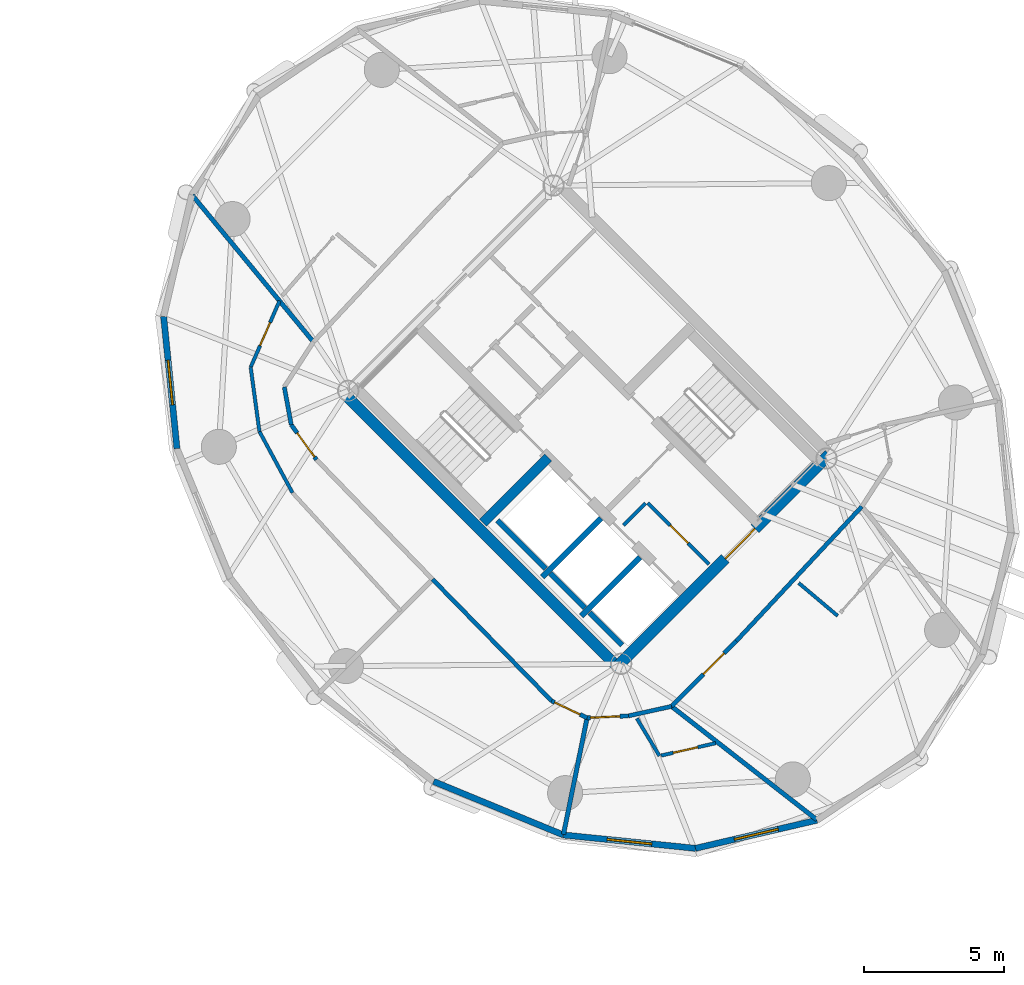
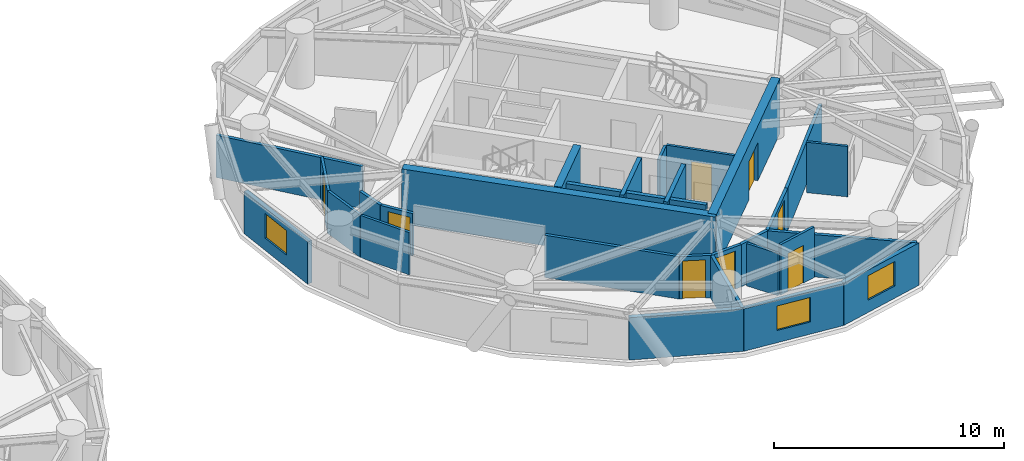
# One storey, part 12 of 17: 31 walls, 8 doors, 3 windows, 11 openings.
"""IFC4 building model written with IfcOpenShell, lengths in metres."""

from ifc_helpers import new_model, si_unit, direction, frame, frame_2d, origin, place, context, subcontext, project, spatial, rectangle, extrude, source, transform, mapped, material, layer, layer_set, type_object, element, fill, save


model = new_model("IFC4")

# Units and contexts
model_context = context("Model", 3, precision=1e-05, world=origin(), true_north=direction((0.0, 1.0)))
body_context = subcontext(model_context, "Body", "Model", "MODEL_VIEW")
ifc_project = project(units=[si_unit("LENGTHUNIT", "METRE"), si_unit("AREAUNIT", "SQUARE_METRE"), si_unit("VOLUMEUNIT", "CUBIC_METRE"), si_unit("PLANEANGLEUNIT", "RADIAN"), si_unit("MASSUNIT", "GRAM", prefix="KILO")], contexts=[model_context])

# Site, building, storey
site_placement = place(None, origin())
site = spatial("IfcSite", under=ifc_project, at=site_placement, CompositionType="ELEMENT")
building_placement = place(site_placement, origin())
building = spatial("IfcBuilding", under=site, at=building_placement, Name="Cununo Teusaquillo Station Towers", CompositionType="ELEMENT")
storey_placement = place(building_placement, frame((0.0, 0.0, 183.610107421875)))
storey = spatial("IfcBuildingStorey", under=building, at=storey_placement, Name="L58", CompositionType="ELEMENT", Elevation=183.610107421875)

# Walls
ifc_material_1 = material(Name="Concrete C50/60", Category="concrete")
ifc_layer_1 = layer(ifc_material_1, 0.199951171875)
ifc_layer_set_1 = layer_set([ifc_layer_1], Name="Concrete C50/60")
wall_type_1 = type_object("IfcWallType", Name="WL-CORE-200", PredefinedType="SHEAR", material=ifc_layer_set_1)
wall_1_placement = place(storey_placement, frame((55.8876953125, 19.0693359375, 0.0), z_axis=(0.0, 0.0, 1.0), x_axis=(0.707106781187, 0.707106781187, 0.0)))
element("IfcWall", 1, at=wall_1_placement, inside=storey, type_object=wall_type_1, Name="L58 Tower B Firefighting Lift Shaft South Shear Wall", PredefinedType="SHEAR", context=body_context, shape_type="SweptSolid", body=[
    extrude(rectangle(XDim=2.969970703125, YDim=0.199951171875, at=frame_2d((1.48486328125, 0.0))), origin(), (0.0, 0.0, 1.0), 2.909912109375),
])
wall_2_placement = place(storey_placement, frame((56.01513671875, 19.366455078125, 0.0), z_axis=(0.0, 0.0, 1.0), x_axis=(-0.707106781187, 0.707106781187, 0.0)))
element("IfcWall", 2, at=wall_2_placement, inside=storey, type_object=wall_type_1, Name="L58 Tower B Firefighting Lift Shaft Rear Shear Wall", PredefinedType="SHEAR", context=body_context, shape_type="SweptSolid", body=[
    extrude(rectangle(XDim=2.43994140625, YDim=0.199951171875, at=frame_2d((1.219970703125, 0.0))), origin(), (0.0, 0.0, 1.0), 2.909912109375),
])
wall_3_placement = place(storey_placement, frame((57.2841796875, 17.6728515625, 0.0), z_axis=(0.0, 0.0, 1.0), x_axis=(0.707147878904, 0.70706568108, 0.0)))
element("IfcWall", 3, at=wall_3_placement, inside=storey, type_object=wall_type_1, Name="L58 Tower B High-Rise Lift Hoistway Divider Shear Wall", PredefinedType="SHEAR", context=body_context, shape_type="SweptSolid", body=[
    extrude(rectangle(XDim=2.97021484375, YDim=0.199951171875, at=frame_2d((1.485107421875, 0.0))), origin(), (0.0, 0.0, 1.0), 2.909912109375),
])
wall_4_placement = place(storey_placement, frame((57.41162109375, 17.969970703125, 0.0), z_axis=(0.0, 0.0, 1.0), x_axis=(-0.707106781187, 0.707106781187, 0.0)))
element("IfcWall", 4, at=wall_4_placement, inside=storey, type_object=wall_type_1, Name="L58 Tower B High-Rise Lift 2 Shaft Rear Shear Wall", PredefinedType="SHEAR", context=body_context, shape_type="SweptSolid", body=[
    extrude(rectangle(XDim=1.73486328125, YDim=0.199951171875, at=frame_2d((0.867431640625, 0.0))), origin(), (0.0, 0.0, 1.0), 2.909912109375),
])
wall_5_placement = place(storey_placement, frame((58.7373046875, 16.64404296875, 0.0), z_axis=(0.0, 0.0, 1.0), x_axis=(-0.707032117043, 0.707181437447, 0.0)))
element("IfcWall", 5, at=wall_5_placement, inside=storey, type_object=wall_type_1, Name="L58 Tower B High-Rise Lift 1 Shaft Rear Shear Wall", PredefinedType="SHEAR", context=body_context, shape_type="SweptSolid", body=[
    extrude(rectangle(XDim=1.635009765625, YDim=0.199951171875, at=frame_2d((0.8173828125, 0.0))), origin(), (0.0, 0.0, 1.0), 2.909912109375),
])
ifc_material_2 = material(Name="Concrete C50/60", Category="concrete")
ifc_layer_2 = layer(ifc_material_2, 0.35009765625)
ifc_layer_set_2 = layer_set([ifc_layer_2], Name="Concrete C50/60")
wall_type_2 = type_object("IfcWallType", Name="WL-CORE-350", PredefinedType="SHEAR", material=ifc_layer_set_2)
wall_6_placement = place(storey_placement, frame((53.7841796875, 21.00341796875, 0.0), z_axis=(0.0, 0.0, 1.0), x_axis=(0.707106781187, 0.707106781187, 0.0)))
element("IfcWall", 6, at=wall_6_placement, inside=storey, type_object=wall_type_2, Name="L58 Tower B Core Shear Wall ST1S", PredefinedType="SHEAR", context=body_context, shape_type="SweptSolid", body=[
    extrude(rectangle(XDim=3.284912109375, YDim=0.35009765625, at=frame_2d((1.642578125, 0.0))), origin(), (0.0, 0.0, 1.0), 2.909912109375),
])
ifc_material_3 = material(Name="Concrete C50/60", Category="concrete")
ifc_layer_3 = layer(ifc_material_3, 0.39990234375)
ifc_layer_set_3 = layer_set([ifc_layer_3], Name="Concrete C50/60")
wall_type_3 = type_object("IfcWallType", Name="WL-CORE-400", PredefinedType="SHEAR", material=ifc_layer_set_3)
wall_7_placement = place(storey_placement, frame((58.7021484375, 15.73193359375, 0.0), z_axis=(0.0, 0.0, 1.0), x_axis=(-0.707106781187, 0.707106781187, 0.0)))
element("IfcWall", 7, at=wall_7_placement, inside=storey, type_object=wall_type_3, Name="L58 Tower B Core Shear Wall W", PredefinedType="SHEAR", context=body_context, shape_type="SweptSolid", body=[
    extrude(rectangle(XDim=14.10009765625, YDim=0.39990234375, at=frame_2d((7.050048828125, 0.0))), origin(), (0.0, 0.0, 1.0), 2.909912109375),
])

# Wall, opening, door
wall_8_placement = place(storey_placement, frame((58.560791015625, 15.873291015625, 0.0), z_axis=(0.0, 0.0, 1.0), x_axis=(0.707106781187, 0.707106781187, 0.0)))
wall_8 = element("IfcWall", 8, at=wall_8_placement, inside=storey, type_object=wall_type_3, Name="L58 Tower B Core Shear Wall S", PredefinedType="SHEAR", context=body_context, shape_type="SweptSolid", body=[
    extrude(rectangle(XDim=10.69970703125, YDim=0.39990234375, at=frame_2d((5.349853515625, 0.0))), origin(), (0.0, 0.0, 1.0), 2.909912109375),
])
shared_shape_1 = source(origin(), body_context, "Body", "SweptSolid", [
    extrude(rectangle(XDim=1.5, YDim=2.02001953125, at=frame_2d((0.75, 1.010009765625))), frame((0.0, 0.2099609375, 0.0), z_axis=(0.0, -1.0, 0.0), x_axis=(1.0, 0.0, 0.0)), (0.0, 0.0, 1.0), 0.419921875),
])
opening_1_placement = place(wall_8_placement, frame((5.449951171875, 0.0, 0.0)))
opening_1 = element("IfcOpeningElement", 9, at=opening_1_placement, cuts=wall_8, Name="Opening D-LB1", PredefinedType="OPENING", context=body_context, shape_type="MappedRepresentation", body=[
    mapped(shared_shape_1, transform((0.0, 0.0, 0.0), x_axis=(1.0, 0.0, 0.0), y_axis=(0.0, 1.0, 0.0), z_axis=(0.0, 0.0, 1.0), scale=1.0)),
])
ifc_material_4 = material(Name="Galvanised fire-rated hollow steel door assembly", Category="steel")
door_type_1 = type_object("IfcDoorType", Name="DR-LOBBY-1500", OperationType="DOUBLE_DOOR_SINGLE_SWING", PredefinedType="DOOR", material=ifc_material_4)
shared_shape_2 = source(origin(), body_context, "Body", "SweptSolid", [
    extrude(rectangle(XDim=1.5, YDim=2.02001953125, at=frame_2d((0.75, 1.010009765625))), frame((0.0, 0.02490234375, 0.0), z_axis=(0.0, -1.0, 0.0), x_axis=(1.0, 0.0, 0.0)), (0.0, 0.0, 1.0), 0.050048828125),
])
door_1_placement = place(opening_1_placement, origin())
door_1 = element("IfcDoor", 10, at=door_1_placement, inside=storey, type_object=door_type_1, Name="L58 Tower B South Core Lift Lobby Door", OperationType="DOUBLE_DOOR_SINGLE_SWING", OverallHeight=2.02001953125, OverallWidth=1.5, PredefinedType="DOOR", context=body_context, shape_type="MappedRepresentation", body=[
    mapped(shared_shape_2, transform((0.0, 0.0, 0.0), x_axis=(1.0, 0.0, 0.0), y_axis=(0.0, 1.0, 0.0), z_axis=(0.0, 0.0, 1.0), scale=1.0)),
])
fill(opening_1, door_1)

# Wall, opening, window
ifc_material_5 = material(Name="Precast concrete C40/50", Category="concrete")
ifc_layer_4 = layer(ifc_material_5, 0.219970703125)
ifc_layer_set_4 = layer_set([ifc_layer_4], Name="Precast concrete C40/50")
wall_type_4 = type_object("IfcWallType", Name="WL-EXT-220", PredefinedType="SOLIDWALL", material=ifc_layer_set_4)
wall_9_placement = place(storey_placement, frame((42.87255859375, 23.646484375, 0.0), z_axis=(0.0, 0.0, 1.0), x_axis=(-0.100438356004, 0.994943283129, 0.0)))
wall_9 = element("IfcWall", 11, at=wall_9_placement, inside=storey, type_object=wall_type_4, Name="L58 Tower B Exterior Facade Wall C07", PredefinedType="SOLIDWALL", context=body_context, shape_type="SweptSolid", body=[
    extrude(rectangle(XDim=4.732666015625, YDim=0.219970703125, at=frame_2d((2.3662109375, 0.0))), origin(), (0.0, 0.0, 1.0), 2.244873046875),
])
shared_shape_3 = source(origin(), body_context, "Body", "SweptSolid", [
    extrude(rectangle(XDim=1.60009765625, YDim=1.300048828125, at=frame_2d((0.800048828125, 0.64990234375))), frame((0.0, 0.119873046875, 0.0), z_axis=(0.0, -1.0, 0.0), x_axis=(1.0, 0.0, 0.0)), (0.0, 0.0, 1.0), 0.239990234375),
])
opening_2_placement = place(wall_9_placement, frame((1.56591796875, 0.0, 0.64990234375)))
opening_2 = element("IfcOpeningElement", 12, at=opening_2_placement, cuts=wall_9, Name="Opening WN-03", PredefinedType="OPENING", context=body_context, shape_type="MappedRepresentation", body=[
    mapped(shared_shape_3, transform((0.0, 0.0, 0.0), x_axis=(1.0, 0.0, 0.0), y_axis=(0.0, 1.0, 0.0), z_axis=(0.0, 0.0, 1.0), scale=1.0)),
])
ifc_material_6 = material(Name="Ceramic-fritted dark low-E double glazing", Category="glass")
window_type = type_object("IfcWindowType", Name="WIN-CORN-1600", PartitioningType="SINGLE_PANEL", PredefinedType="WINDOW", material=ifc_material_6)
shared_shape_4 = source(origin(), body_context, "Body", "SweptSolid", [
    extrude(rectangle(XDim=1.60009765625, YDim=1.300048828125, at=frame_2d((0.800048828125, 0.64990234375))), frame((0.0, 0.030029296875, 0.0), z_axis=(0.0, -1.0, 0.0), x_axis=(1.0, 0.0, 0.0)), (0.0, 0.0, 1.0), 0.06005859375),
])
window_1_placement = place(opening_2_placement, origin())
window_1 = element("IfcWindow", 13, at=window_1_placement, inside=storey, type_object=window_type, Name="L58 Tower B Facade Window C07", OverallHeight=1.300048828125, OverallWidth=1.60009765625, PartitioningType="SINGLE_PANEL", PredefinedType="WINDOW", context=body_context, shape_type="MappedRepresentation", body=[
    mapped(shared_shape_4, transform((0.0, 0.0, 0.0), x_axis=(1.0, 0.0, 0.0), y_axis=(0.0, 1.0, 0.0), z_axis=(0.0, 0.0, 1.0), scale=1.0)),
])
fill(opening_2, window_1)

# Wall
wall_10_placement = place(storey_placement, frame((56.646484375, 9.87255859375, 0.0), z_axis=(0.0, 0.0, 1.0), x_axis=(-0.924494066201, 0.381196434348, 0.0)))
element("IfcWall", 14, at=wall_10_placement, inside=storey, type_object=wall_type_4, Name="L58 Tower B Exterior Facade Wall C11", PredefinedType="SOLIDWALL", context=body_context, shape_type="SweptSolid", body=[
    extrude(rectangle(XDim=5.003173828125, YDim=0.219970703125, at=frame_2d((2.50146484375, 0.0))), origin(), (0.0, 0.0, 1.0), 2.244873046875),
])

# Wall, opening, window
wall_11_placement = place(storey_placement, frame((61.355224609375, 9.397216796875, 0.0), z_axis=(0.0, 0.0, 1.0), x_axis=(-0.994943283129, 0.100438356004, 0.0)))
wall_11 = element("IfcWall", 15, at=wall_11_placement, inside=storey, type_object=wall_type_4, Name="L58 Tower B Exterior Facade Wall C12", PredefinedType="SOLIDWALL", context=body_context, shape_type="SweptSolid", body=[
    extrude(rectangle(XDim=4.732666015625, YDim=0.219970703125, at=frame_2d((2.3662109375, 0.0))), origin(), (0.0, 0.0, 1.0), 2.244873046875),
])
opening_3_placement = place(wall_11_placement, frame((1.56591796875, 0.0, 0.64990234375)))
opening_3 = element("IfcOpeningElement", 16, at=opening_3_placement, cuts=wall_11, Name="Opening WN-03", PredefinedType="OPENING", context=body_context, shape_type="MappedRepresentation", body=[
    mapped(shared_shape_3, transform((0.0, 0.0, 0.0), x_axis=(1.0, 0.0, 0.0), y_axis=(0.0, 1.0, 0.0), z_axis=(0.0, 0.0, 1.0), scale=1.0)),
])
window_2_placement = place(opening_3_placement, origin())
window_2 = element("IfcWindow", 17, at=window_2_placement, inside=storey, type_object=window_type, Name="L58 Tower B Facade Window C12", OverallHeight=1.300048828125, OverallWidth=1.60009765625, PartitioningType="SINGLE_PANEL", PredefinedType="WINDOW", context=body_context, shape_type="MappedRepresentation", body=[
    mapped(shared_shape_4, transform((0.0, 0.0, 0.0), x_axis=(1.0, 0.0, 0.0), y_axis=(0.0, 1.0, 0.0), z_axis=(0.0, 0.0, 1.0), scale=1.0)),
])
fill(opening_3, window_2)

wall_12_placement = place(storey_placement, frame((65.686767578125, 10.400146484375, 0.0), z_axis=(0.0, 0.0, 1.0), x_axis=(-0.97422620202, -0.22557328587, 0.0)))
wall_12 = element("IfcWall", 18, at=wall_12_placement, inside=storey, type_object=wall_type_4, Name="L58 Tower B Exterior Facade Wall C13", PredefinedType="SOLIDWALL", context=body_context, shape_type="SweptSolid", body=[
    extrude(rectangle(XDim=4.446044921875, YDim=0.219970703125, at=frame_2d((2.22314453125, 0.0))), origin(), (0.0, 0.0, 1.0), 2.244873046875),
])
opening_4_placement = place(wall_12_placement, frame((1.423095703125, 0.0, 0.64990234375)))
opening_4 = element("IfcOpeningElement", 19, at=opening_4_placement, cuts=wall_12, Name="Opening WN-03", PredefinedType="OPENING", context=body_context, shape_type="MappedRepresentation", body=[
    mapped(shared_shape_3, transform((0.0, 0.0, 0.0), x_axis=(1.0, 0.0, 0.0), y_axis=(0.0, 1.0, 0.0), z_axis=(0.0, 0.0, 1.0), scale=1.0)),
])
window_3_placement = place(opening_4_placement, origin())
window_3 = element("IfcWindow", 20, at=window_3_placement, inside=storey, type_object=window_type, Name="L58 Tower B Facade Window C13", OverallHeight=1.300048828125, OverallWidth=1.60009765625, PartitioningType="SINGLE_PANEL", PredefinedType="WINDOW", context=body_context, shape_type="MappedRepresentation", body=[
    mapped(shared_shape_4, transform((0.0, 0.0, 0.0), x_axis=(1.0, 0.0, 0.0), y_axis=(0.0, 1.0, 0.0), z_axis=(0.0, 0.0, 1.0), scale=1.0)),
])
fill(opening_4, window_3)

# Wall, opening, door
ifc_material_7 = material(Name="Fire-rated gypsum plasterboard partition assembly", Category="gypsum")
ifc_layer_5 = layer(ifc_material_7, 0.125)
ifc_layer_set_5 = layer_set([ifc_layer_5], Name="Fire-rated gypsum plasterboard partition assembly")
wall_type_5 = type_object("IfcWallType", Name="WL-PART-125", PredefinedType="PARTITIONING", material=ifc_layer_set_5)
wall_13_placement = place(storey_placement, frame((61.834716796875, 19.529052734375, 0.0), z_axis=(0.0, 0.0, 1.0), x_axis=(-0.707146413884, 0.707067146267, 0.0)))
wall_13 = element("IfcWall", 21, at=wall_13_placement, inside=storey, type_object=wall_type_5, Name="L58 Tower B South-West Tall Store East Wall", PredefinedType="PARTITIONING", context=body_context, shape_type="SweptSolid", body=[
    extrude(rectangle(XDim=3.079833984375, YDim=0.125, at=frame_2d((1.5400390625, 0.0))), origin(), (0.0, 0.0, 1.0), 2.6748046875),
])
shared_shape_5 = source(origin(), body_context, "Body", "SweptSolid", [
    extrude(rectangle(XDim=0.89990234375, YDim=2.0048828125, at=frame_2d((0.449951171875, 1.00244140625))), frame((0.0, 0.072509765625, 0.0), z_axis=(0.0, -1.0, 0.0), x_axis=(1.0, 0.0, 0.0)), (0.0, 0.0, 1.0), 0.14501953125),
])
opening_5_placement = place(wall_13_placement, frame((1.050048828125, 0.0, 0.0)))
opening_5 = element("IfcOpeningElement", 22, at=opening_5_placement, cuts=wall_13, Name="Opening D-SR1", PredefinedType="OPENING", context=body_context, shape_type="MappedRepresentation", body=[
    mapped(shared_shape_5, transform((0.0, 0.0, 0.0), x_axis=(1.0, 0.0, 0.0), y_axis=(0.0, 1.0, 0.0), z_axis=(0.0, 0.0, 1.0), scale=1.0)),
])
ifc_material_8 = material(Name="Galvanised fire-rated hollow steel door assembly", Category="steel")
door_type_2 = type_object("IfcDoorType", Name="DR-STORE-900", OperationType="NOTDEFINED", PredefinedType="DOOR", material=ifc_material_8)
shared_shape_6 = source(origin(), body_context, "Body", "SweptSolid", [
    extrude(rectangle(XDim=0.89990234375, YDim=2.0048828125, at=frame_2d((0.449951171875, 1.00244140625))), frame((0.0, 0.02490234375, 0.0), z_axis=(0.0, -1.0, 0.0), x_axis=(1.0, 0.0, 0.0)), (0.0, 0.0, 1.0), 0.050048828125),
])
door_2_placement = place(opening_5_placement, origin())
door_2 = element("IfcDoor", 23, at=door_2_placement, inside=storey, type_object=door_type_2, Name="L58 Tower B South Cleaners Store Door", OperationType="SINGLE_SWING_LEFT", OverallHeight=2.0048828125, OverallWidth=0.89990234375, PredefinedType="DOOR", context=body_context, shape_type="MappedRepresentation", body=[
    mapped(shared_shape_6, transform((0.0, 0.0, 0.0), x_axis=(1.0, 0.0, 0.0), y_axis=(0.0, 1.0, 0.0), z_axis=(0.0, 0.0, 1.0), scale=1.0)),
])
fill(opening_5, door_2)

# Wall
wall_14_placement = place(storey_placement, frame((58.7939453125, 20.9150390625, 0.0), z_axis=(0.0, 0.0, 1.0), x_axis=(0.707106781187, 0.707106781187, 0.0)))
element("IfcWall", 24, at=wall_14_placement, inside=storey, type_object=wall_type_5, Name="L58 Tower B South-West Tall Store North Wall", PredefinedType="PARTITIONING", context=body_context, shape_type="SweptSolid", body=[
    extrude(rectangle(XDim=1.10009765625, YDim=0.125, at=frame_2d((0.550048828125, 0.0))), origin(), (0.0, 0.0, 1.0), 2.6748046875),
])

# Wall, opening, door
wall_15_placement = place(storey_placement, frame((46.52685546875, 28.9130859375, 0.0), z_axis=(0.0, 0.0, 1.0), x_axis=(-0.398002989165, -0.917384118358, 0.0)))
wall_15 = element("IfcWall", 25, at=wall_15_placement, inside=storey, type_object=wall_type_5, Name="L58 Tower B Hotel Tea & Cigar Conservatory Concentric Partition Wall C06", PredefinedType="PARTITIONING", context=body_context, shape_type="SweptSolid", body=[
    extrude(rectangle(XDim=2.58056640625, YDim=0.125, at=frame_2d((1.290283203125, 0.0))), origin(), (0.0, 0.0, 1.0), 2.244873046875),
])
opening_6_placement = place(wall_15_placement, frame((0.84033203125, 0.0, 0.0)))
opening_6 = element("IfcOpeningElement", 26, at=opening_6_placement, cuts=wall_15, Name="Opening D-IN1", PredefinedType="OPENING", context=body_context, shape_type="MappedRepresentation", body=[
    mapped(shared_shape_5, transform((0.0, 0.0, 0.0), x_axis=(1.0, 0.0, 0.0), y_axis=(0.0, 1.0, 0.0), z_axis=(0.0, 0.0, 1.0), scale=1.0)),
])
ifc_material_9 = material(Name="Acoustic solid-core hardwood leaf assembly", Category="wood")
door_type_3 = type_object("IfcDoorType", Name="DR-INT-900", OperationType="NOTDEFINED", PredefinedType="DOOR", material=ifc_material_9)
door_3_placement = place(opening_6_placement, origin())
door_3 = element("IfcDoor", 27, at=door_3_placement, inside=storey, type_object=door_type_3, Name="L58 Tower B Hotel Tea & Cigar Conservatory Connecting Door", OperationType="SINGLE_SWING_LEFT", OverallHeight=2.0048828125, OverallWidth=0.89990234375, PredefinedType="DOOR", context=body_context, shape_type="MappedRepresentation", body=[
    mapped(shared_shape_6, transform((0.0, 0.0, 0.0), x_axis=(1.0, 0.0, 0.0), y_axis=(0.0, 1.0, 0.0), z_axis=(0.0, 0.0, 1.0), scale=1.0)),
])
fill(opening_6, door_3)

# Walls
wall_16_placement = place(storey_placement, frame((45.499755859375, 26.545654296875, 0.0), z_axis=(0.0, 0.0, 1.0), x_axis=(0.134877351861, -0.990862301208, 0.0)))
element("IfcWall", 28, at=wall_16_placement, inside=storey, type_object=wall_type_5, Name="L58 Tower B Hotel Tea & Cigar Conservatory Concentric Partition Wall C07", PredefinedType="PARTITIONING", context=body_context, shape_type="SweptSolid", body=[
    extrude(rectangle(XDim=2.3095703125, YDim=0.125, at=frame_2d((1.15478515625, 0.0))), origin(), (0.0, 0.0, 1.0), 2.244873046875),
])
wall_17_placement = place(storey_placement, frame((45.811279296875, 24.257080078125, 0.0), z_axis=(0.0, 0.0, 1.0), x_axis=(0.474867364042, -0.880057376861, 0.0)))
element("IfcWall", 29, at=wall_17_placement, inside=storey, type_object=wall_type_5, Name="L58 Tower B Hotel Tea & Cigar Conservatory Concentric Partition Wall C08", PredefinedType="PARTITIONING", context=body_context, shape_type="SweptSolid", body=[
    extrude(rectangle(XDim=2.484130859375, YDim=0.125, at=frame_2d((1.2421875, 0.0))), origin(), (0.0, 0.0, 1.0), 2.244873046875),
])
wall_18_placement = place(storey_placement, frame((59.26513671875, 14.027587890625, 0.0), z_axis=(0.0, 0.0, 1.0), x_axis=(0.515875690436, -0.856663453181, 0.0)))
element("IfcWall", 30, at=wall_18_placement, inside=storey, type_object=wall_type_5, Name="L58 Tower B S05 En-suite Side Wall", PredefinedType="PARTITIONING", context=body_context, shape_type="SweptSolid", body=[
    extrude(rectangle(XDim=1.560302734375, YDim=0.125, at=frame_2d((0.7802734375, 0.0))), origin(), (0.0, 0.0, 1.0), 2.244873046875),
])

# Wall, opening, door
wall_19_placement = place(storey_placement, frame((60.130859375, 12.70458984375, 0.0), z_axis=(0.0, 0.0, 1.0), x_axis=(0.975184609806, 0.221393262767, 0.0)))
wall_19 = element("IfcWall", 31, at=wall_19_placement, inside=storey, type_object=wall_type_5, Name="L58 Tower B S05 En-suite Back Wall", PredefinedType="PARTITIONING", context=body_context, shape_type="SweptSolid", body=[
    extrude(rectangle(XDim=1.991455078125, YDim=0.125, at=frame_2d((0.99560546875, 0.0))), origin(), (0.0, 0.0, 1.0), 2.6748046875),
])
opening_7_placement = place(wall_19_placement, frame((0.439208984375, 0.0, 0.0)))
opening_7 = element("IfcOpeningElement", 32, at=opening_7_placement, cuts=wall_19, Name="Opening D-IN1", PredefinedType="OPENING", context=body_context, shape_type="MappedRepresentation", body=[
    mapped(shared_shape_5, transform((0.0, 0.0, 0.0), x_axis=(1.0, 0.0, 0.0), y_axis=(0.0, 1.0, 0.0), z_axis=(0.0, 0.0, 1.0), scale=1.0)),
])
door_4_placement = place(opening_7_placement, origin())
door_4 = element("IfcDoor", 33, at=door_4_placement, inside=storey, type_object=door_type_3, Name="L58 Tower B S05 En-suite Bathroom Door", OperationType="SINGLE_SWING_RIGHT", OverallHeight=2.0048828125, OverallWidth=0.89990234375, PredefinedType="DOOR", context=body_context, shape_type="MappedRepresentation", body=[
    mapped(shared_shape_6, transform((0.0, 0.0, 0.0), x_axis=(1.0, 0.0, 0.0), y_axis=(0.0, 1.0, 0.0), z_axis=(0.0, 0.0, 1.0), scale=1.0)),
])
fill(opening_7, door_4)

# Walls
wall_20_placement = place(storey_placement, frame((65.032958984375, 18.85595703125, 0.0), z_axis=(0.0, 0.0, 1.0), x_axis=(0.764632588969, -0.644466449, 0.0)))
element("IfcWall", 34, at=wall_20_placement, inside=storey, type_object=wall_type_5, Name="L58 Tower B S06 En-suite Side Wall", PredefinedType="PARTITIONING", context=body_context, shape_type="SweptSolid", body=[
    extrude(rectangle(XDim=1.818359375, YDim=0.125, at=frame_2d((0.9091796875, 0.0))), origin(), (0.0, 0.0, 1.0), 2.6748046875),
])
ifc_material_10 = material(Name="Fire-rated gypsum plasterboard partition assembly", Category="gypsum")
ifc_layer_6 = layer(ifc_material_10, 0.14990234375)
ifc_layer_set_6 = layer_set([ifc_layer_6], Name="Fire-rated gypsum plasterboard partition assembly")
wall_type_6 = type_object("IfcWallType", Name="WL-PART-150", PredefinedType="PARTITIONING", material=ifc_layer_set_6)
wall_21_placement = place(storey_placement, frame((46.69873046875, 25.843017578125, 0.0), z_axis=(0.0, 0.0, 1.0), x_axis=(0.180451258011, -0.983583928032, 0.0)))
element("IfcWall", 35, at=wall_21_placement, inside=storey, type_object=wall_type_6, Name="L58 Tower B Corridor Ring Wall C07", PredefinedType="PARTITIONING", context=body_context, shape_type="SweptSolid", body=[
    extrude(rectangle(XDim=1.371826171875, YDim=0.14990234375, at=frame_2d((0.68603515625, 0.0))), origin(), (0.0, 0.0, 1.0), 2.244873046875),
])

# Wall, opening, door
wall_22_placement = place(storey_placement, frame((46.9462890625, 24.49365234375, 0.0), z_axis=(0.0, 0.0, 1.0), x_axis=(0.586340262528, -0.810064871809, 0.0)))
wall_22 = element("IfcWall", 36, at=wall_22_placement, inside=storey, type_object=wall_type_6, Name="L58 Tower B Corridor Ring Wall C08", PredefinedType="PARTITIONING", context=body_context, shape_type="SweptSolid", body=[
    extrude(rectangle(XDim=1.531005859375, YDim=0.14990234375, at=frame_2d((0.765625, 0.0))), origin(), (0.0, 0.0, 1.0), 2.244873046875),
])
shared_shape_7 = source(origin(), body_context, "Body", "SweptSolid", [
    extrude(rectangle(XDim=1.050048828125, YDim=2.014892578125, at=frame_2d((0.52490234375, 1.00732421875))), frame((0.0, 0.0849609375, 0.0), z_axis=(0.0, -1.0, 0.0), x_axis=(1.0, 0.0, 0.0)), (0.0, 0.0, 1.0), 0.169921875),
])
opening_8_placement = place(wall_22_placement, frame((0.36083984375, 0.0, 0.0)))
opening_8 = element("IfcOpeningElement", 37, at=opening_8_placement, cuts=wall_22, Name="Opening D-SU1", PredefinedType="OPENING", context=body_context, shape_type="MappedRepresentation", body=[
    mapped(shared_shape_7, transform((0.0, 0.0, 0.0), x_axis=(1.0, 0.0, 0.0), y_axis=(0.0, 1.0, 0.0), z_axis=(0.0, 0.0, 1.0), scale=1.0)),
])
ifc_material_11 = material(Name="Acoustic solid-core hardwood leaf assembly", Category="wood")
door_type_4 = type_object("IfcDoorType", Name="DR-SUITE-1050", OperationType="NOTDEFINED", PredefinedType="DOOR", material=ifc_material_11)
shared_shape_8 = source(origin(), body_context, "Body", "SweptSolid", [
    extrude(rectangle(XDim=1.050048828125, YDim=2.014892578125, at=frame_2d((0.52490234375, 1.00732421875))), frame((0.0, 0.02490234375, 0.0), z_axis=(0.0, -1.0, 0.0), x_axis=(1.0, 0.0, 0.0)), (0.0, 0.0, 1.0), 0.050048828125),
])
door_5_placement = place(opening_8_placement, origin())
door_5 = element("IfcDoor", 38, at=door_5_placement, inside=storey, type_object=door_type_4, Name="L58 Tower B Hotel Tea & Cigar Conservatory Entrance Door", OperationType="SINGLE_SWING_RIGHT", OverallHeight=2.014892578125, OverallWidth=1.050048828125, PredefinedType="DOOR", context=body_context, shape_type="MappedRepresentation", body=[
    mapped(shared_shape_8, transform((0.0, 0.0, 0.0), x_axis=(1.0, 0.0, 0.0), y_axis=(0.0, 1.0, 0.0), z_axis=(0.0, 0.0, 1.0), scale=1.0)),
])
fill(opening_8, door_5)

# Wall
wall_23_placement = place(storey_placement, frame((51.984619140625, 18.984619140625, 0.0), z_axis=(0.0, 0.0, 1.0), x_axis=(0.699619654291, -0.714515457726, 0.0)))
element("IfcWall", 39, at=wall_23_placement, inside=storey, type_object=wall_type_6, Name="L58 Tower B Corridor Ring Wall C10", PredefinedType="PARTITIONING", context=body_context, shape_type="SweptSolid", body=[
    extrude(rectangle(XDim=6.064208984375, YDim=0.14990234375, at=frame_2d((3.0322265625, 0.0))), origin(), (0.0, 0.0, 1.0), 2.244873046875),
])

# Wall, opening, door
wall_24_placement = place(storey_placement, frame((56.227294921875, 14.651611328125, 0.0), z_axis=(0.0, 0.0, 1.0), x_axis=(0.902364039563, -0.430974639745, 0.0)))
wall_24 = element("IfcWall", 40, at=wall_24_placement, inside=storey, type_object=wall_type_6, Name="L58 Tower B Corridor Ring Wall C11", PredefinedType="PARTITIONING", context=body_context, shape_type="SweptSolid", body=[
    extrude(rectangle(XDim=1.4013671875, YDim=0.14990234375, at=frame_2d((0.70068359375, 0.0))), origin(), (0.0, 0.0, 1.0), 2.244873046875),
])
shared_shape_9 = source(origin(), body_context, "Body", "SweptSolid", [
    extrude(rectangle(XDim=1.0, YDim=2.014892578125, at=frame_2d((0.5, 1.00732421875))), frame((0.0, 0.0849609375, 0.0), z_axis=(0.0, -1.0, 0.0), x_axis=(1.0, 0.0, 0.0)), (0.0, 0.0, 1.0), 0.169921875),
])
opening_9_placement = place(wall_24_placement, frame((0.1201171875, 0.0, 0.0)))
opening_9 = element("IfcOpeningElement", 41, at=opening_9_placement, cuts=wall_24, Name="Opening D-AC1", PredefinedType="OPENING", context=body_context, shape_type="MappedRepresentation", body=[
    mapped(shared_shape_9, transform((0.0, 0.0, 0.0), x_axis=(1.0, 0.0, 0.0), y_axis=(0.0, 1.0, 0.0), z_axis=(0.0, 0.0, 1.0), scale=1.0)),
])
ifc_material_12 = material(Name="Acoustic solid-core hardwood leaf assembly", Category="wood")
door_type_5 = type_object("IfcDoorType", Name="DR-ACC-1000", OperationType="NOTDEFINED", PredefinedType="DOOR", material=ifc_material_12)
shared_shape_10 = source(origin(), body_context, "Body", "SweptSolid", [
    extrude(rectangle(XDim=1.0, YDim=2.014892578125, at=frame_2d((0.5, 1.00732421875))), frame((0.0, 0.02490234375, 0.0), z_axis=(0.0, -1.0, 0.0), x_axis=(1.0, 0.0, 0.0)), (0.0, 0.0, 1.0), 0.050048828125),
])
door_6_placement = place(opening_9_placement, origin())
door_6 = element("IfcDoor", 42, at=door_6_placement, inside=storey, type_object=door_type_5, Name="L58 Tower B Public Accessible Restroom WC Entrance Door", OperationType="SINGLE_SWING_RIGHT", OverallHeight=2.014892578125, OverallWidth=1.0, PredefinedType="DOOR", context=body_context, shape_type="MappedRepresentation", body=[
    mapped(shared_shape_10, transform((0.0, 0.0, 0.0), x_axis=(1.0, 0.0, 0.0), y_axis=(0.0, 1.0, 0.0), z_axis=(0.0, 0.0, 1.0), scale=1.0)),
])
fill(opening_9, door_6)

wall_25_placement = place(storey_placement, frame((57.491943359375, 14.047607421875, 0.0), z_axis=(0.0, 0.0, 1.0), x_axis=(0.99885011351, 0.047942160364, 0.0)))
wall_25 = element("IfcWall", 43, at=wall_25_placement, inside=storey, type_object=wall_type_6, Name="L58 Tower B Corridor Ring Wall C12", PredefinedType="PARTITIONING", context=body_context, shape_type="SweptSolid", body=[
    extrude(rectangle(XDim=1.476806640625, YDim=0.14990234375, at=frame_2d((0.73828125, 0.0))), origin(), (0.0, 0.0, 1.0), 2.244873046875),
])
opening_10_placement = place(wall_25_placement, frame((0.1201171875, 0.0, 0.0)))
opening_10 = element("IfcOpeningElement", 44, at=opening_10_placement, cuts=wall_25, Name="Opening D-SU1", PredefinedType="OPENING", context=body_context, shape_type="MappedRepresentation", body=[
    mapped(shared_shape_7, transform((0.0, 0.0, 0.0), x_axis=(1.0, 0.0, 0.0), y_axis=(0.0, 1.0, 0.0), z_axis=(0.0, 0.0, 1.0), scale=1.0)),
])
door_7_placement = place(opening_10_placement, origin())
door_7 = element("IfcDoor", 45, at=door_7_placement, inside=storey, type_object=door_type_4, Name="L58 Tower B Emerald Horizon Hotel Suite Entrance Door", OperationType="SINGLE_SWING_LEFT", OverallHeight=2.014892578125, OverallWidth=1.050048828125, PredefinedType="DOOR", context=body_context, shape_type="MappedRepresentation", body=[
    mapped(shared_shape_8, transform((0.0, 0.0, 0.0), x_axis=(1.0, 0.0, 0.0), y_axis=(0.0, 1.0, 0.0), z_axis=(0.0, 0.0, 1.0), scale=1.0)),
])
fill(opening_10, door_7)

# Wall
wall_26_placement = place(storey_placement, frame((58.967041015625, 14.118408203125, 0.0), z_axis=(0.0, 0.0, 1.0), x_axis=(0.976471358036, 0.215647135235, 0.0)))
element("IfcWall", 46, at=wall_26_placement, inside=storey, type_object=wall_type_6, Name="L58 Tower B Corridor Ring Wall C13", PredefinedType="PARTITIONING", context=body_context, shape_type="SweptSolid", body=[
    extrude(rectangle(XDim=1.5712890625, YDim=0.14990234375, at=frame_2d((0.78564453125, 0.0))), origin(), (0.0, 0.0, 1.0), 2.244873046875),
])

# Wall, opening, door
wall_27_placement = place(storey_placement, frame((60.50146484375, 14.457275390625, 0.0), z_axis=(0.0, 0.0, 1.0), x_axis=(0.704012266258, 0.710187812454, 0.0)))
wall_27 = element("IfcWall", 47, at=wall_27_placement, inside=storey, type_object=wall_type_6, Name="L58 Tower B Corridor Ring Wall C14", PredefinedType="PARTITIONING", context=body_context, shape_type="SweptSolid", body=[
    extrude(rectangle(XDim=3.28125, YDim=0.14990234375, at=frame_2d((1.640625, 0.0))), origin(), (0.0, 0.0, 1.0), 2.244873046875),
])
opening_11_placement = place(wall_27_placement, frame((1.613525390625, 0.0, 0.0)))
opening_11 = element("IfcOpeningElement", 48, at=opening_11_placement, cuts=wall_27, Name="Opening D-SU1", PredefinedType="OPENING", context=body_context, shape_type="MappedRepresentation", body=[
    mapped(shared_shape_7, transform((0.0, 0.0, 0.0), x_axis=(1.0, 0.0, 0.0), y_axis=(0.0, 1.0, 0.0), z_axis=(0.0, 0.0, 1.0), scale=1.0)),
])
door_8_placement = place(opening_11_placement, origin())
door_8 = element("IfcDoor", 49, at=door_8_placement, inside=storey, type_object=door_type_4, Name="L58 Tower B Paramo View Hotel Suite Entrance Door", OperationType="SINGLE_SWING_LEFT", OverallHeight=2.014892578125, OverallWidth=1.050048828125, PredefinedType="DOOR", context=body_context, shape_type="MappedRepresentation", body=[
    mapped(shared_shape_8, transform((0.0, 0.0, 0.0), x_axis=(1.0, 0.0, 0.0), y_axis=(0.0, 1.0, 0.0), z_axis=(0.0, 0.0, 1.0), scale=1.0)),
])
fill(opening_11, door_8)

# Walls
wall_28_placement = place(storey_placement, frame((62.8115234375, 16.78759765625, 0.0), z_axis=(0.0, 0.0, 1.0), x_axis=(0.682323555485, 0.731050316757, 0.0)))
element("IfcWall", 50, at=wall_28_placement, inside=storey, type_object=wall_type_6, Name="L58 Tower B Corridor Ring Wall C15", PredefinedType="PARTITIONING", context=body_context, shape_type="SweptSolid", body=[
    extrude(rectangle(XDim=6.55859375, YDim=0.14990234375, at=frame_2d((3.279296875, 0.0))), origin(), (0.0, 0.0, 1.0), 2.244873046875),
])
ifc_material_13 = material(Name="Fire-rated gypsum plasterboard partition assembly", Category="gypsum")
ifc_layer_7 = layer(ifc_material_13, 0.159912109375)
ifc_layer_set_7 = layer_set([ifc_layer_7], Name="Fire-rated gypsum plasterboard partition assembly")
wall_type_7 = type_object("IfcWallType", Name="WL-PART-160", PredefinedType="PARTITIONING", material=ifc_layer_set_7)
wall_29_placement = place(storey_placement, frame((47.736083984375, 27.448974609375, 0.0), z_axis=(0.0, 0.0, 1.0), x_axis=(-0.636785609289, 0.771040911886, 0.0)))
element("IfcWall", 51, at=wall_29_placement, inside=storey, type_object=wall_type_7, Name="L58 Tower B Radial Suite Partition R03", PredefinedType="PARTITIONING", context=body_context, shape_type="SweptSolid", body=[
    extrude(rectangle(XDim=6.781005859375, YDim=0.159912109375, at=frame_2d((3.390625, 0.0))), origin(), (0.0, 0.0, 1.0), 2.244873046875),
])
wall_30_placement = place(storey_placement, frame((57.491943359375, 14.047607421875, 0.0), z_axis=(0.0, 0.0, 1.0), x_axis=(-0.198717737532, -0.980056764065, 0.0)))
element("IfcWall", 52, at=wall_30_placement, inside=storey, type_object=wall_type_7, Name="L58 Tower B Radial Suite Partition R05", PredefinedType="PARTITIONING", context=body_context, shape_type="SweptSolid", body=[
    extrude(rectangle(XDim=4.23974609375, YDim=0.159912109375, at=frame_2d((2.119873046875, 0.0))), origin(), (0.0, 0.0, 1.0), 2.244873046875),
])
wall_31_placement = place(storey_placement, frame((60.50146484375, 14.457275390625, 0.0), z_axis=(0.0, 0.0, 1.0), x_axis=(0.788354052705, -0.61522181982, 0.0)))
element("IfcWall", 53, at=wall_31_placement, inside=storey, type_object=wall_type_7, Name="L58 Tower B Radial Suite Partition R06", PredefinedType="PARTITIONING", context=body_context, shape_type="SweptSolid", body=[
    extrude(rectangle(XDim=6.565673828125, YDim=0.159912109375, at=frame_2d((3.28271484375, 0.0))), origin(), (0.0, 0.0, 1.0), 2.244873046875),
])

save(model, "model.ifc")
